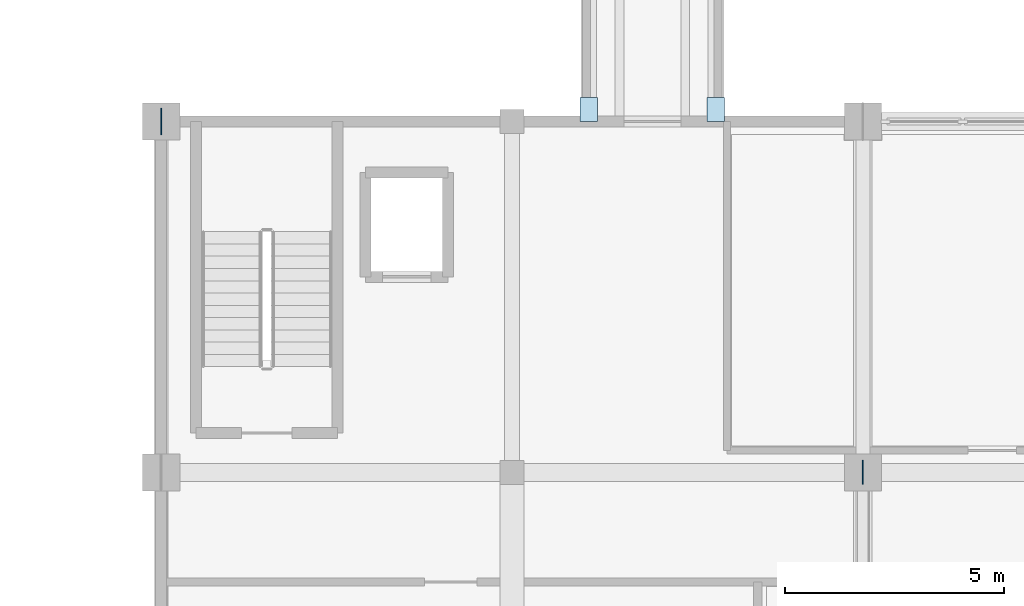
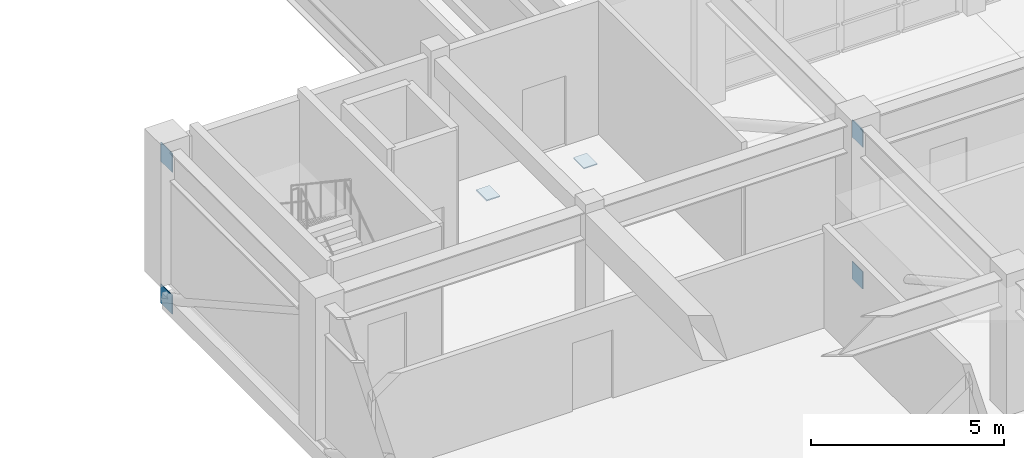
# One storey, part 47 of 79: 6 plates.
"""IFC4 building model written with IfcOpenShell, lengths in metres."""

from ifc_helpers import new_model, si_unit, direction, frame, origin, origin_2d, place, context, subcontext, project, spatial, rectangle, extrude, material, layer, layer_set, type_object, element, save


model = new_model("IFC4")

# Units and contexts
model_context = context("Model", 3, precision=1e-05, world=origin(), true_north=direction((0.0, 1.0)))
body_context = subcontext(model_context, "Body", "Model", "MODEL_VIEW")
ifc_project = project(units=[si_unit("LENGTHUNIT", "METRE"), si_unit("AREAUNIT", "SQUARE_METRE"), si_unit("VOLUMEUNIT", "CUBIC_METRE"), si_unit("PLANEANGLEUNIT", "RADIAN"), si_unit("MASSUNIT", "GRAM", prefix="KILO")], contexts=[model_context])

# Site, building, storey
site_placement = place(None, origin())
site = spatial("IfcSite", under=ifc_project, at=site_placement, CompositionType="ELEMENT")
building_placement = place(site_placement, origin())
building = spatial("IfcBuilding", under=site, at=building_placement, Name="Tlaxcora Railside Police Headquarters", CompositionType="ELEMENT")
storey_placement = place(building_placement, frame((0.0, 0.0, 9.0)))
storey = spatial("IfcBuildingStorey", under=building, at=storey_placement, Name="L02", CompositionType="ELEMENT", Elevation=9.0)

# Plates
ifc_material = material(Name="Steel ASTM A992 Grade 50", Category="steel")
ifc_layer_1 = layer(ifc_material, 0.02392578125, Name="Steel ASTM A992 Grade 50")
ifc_layer_set_1 = layer_set([ifc_layer_1], Name="Steel ASTM A992 Grade 50")
plate_type_1 = type_object("IfcPlateType", Name="Structural Gusset or Cap Plate GP-20", PredefinedType="USERDEFINED", material=ifc_layer_set_1)
for number, where, z_axis, x_axis, name in (
    (1, (62.0, 52.0, 3.4248046875), (0.0, 0.0, 1.0), (0.0, 1.0, 0.0), "Truss gusset plate KN-2-1"),
    (2, (62.0, 52.0, -1.044921875), (0.0, 0.0, 1.0), (0.0, 1.0, 0.0), "Truss bottom-chord gusset plate KNB-2-1"),
):
    element("IfcPlate", number, at=place(storey_placement, frame(where, z_axis=z_axis, x_axis=x_axis)), inside=storey, type_object=plate_type_1, Name=name, ObjectType="GUSSET PLATE", PredefinedType="USERDEFINED", context=body_context, shape_type="SweptSolid", body=[
        extrude(rectangle(XDim=0.550048828125, YDim=0.02392578125, at=origin_2d()), origin(), (0.0, 0.0, 1.0), 0.550048828125),
    ])
ifc_layer_2 = layer(ifc_material, 0.02490234375, Name="Steel ASTM A992 Grade 50")
ifc_layer_set_2 = layer_set([ifc_layer_2], Name="Steel ASTM A992 Grade 50")
plate_type_2 = type_object("IfcPlateType", Name="Structural Gusset or Cap Plate GP-22", PredefinedType="USERDEFINED", material=ifc_layer_set_2)
for number, where, z_axis, x_axis, name in (
    (3, (46.0, 60.0, 3.39990234375), (0.0, 0.0, 1.0), (0.0, 1.0, 0.0), "Truss gusset plate KN-1-0"),
    (4, (46.0, 60.0, -1.070068359375), (0.0, 0.0, 1.0), (0.0, 1.0, 0.0), "Truss bottom-chord gusset plate KNB-1-0"),
):
    element("IfcPlate", number, at=place(storey_placement, frame(where, z_axis=z_axis, x_axis=x_axis)), inside=storey, type_object=plate_type_2, Name=name, ObjectType="GUSSET PLATE", PredefinedType="USERDEFINED", context=body_context, shape_type="SweptSolid", body=[
        extrude(rectangle(XDim=0.60009765625, YDim=0.02490234375, at=origin_2d()), origin(), (0.0, 0.0, 1.0), 0.60009765625),
    ])
for number, where, z_axis, x_axis, name in (
    (5, (55.75, 60.27490234375, -1.03515625), (0.0, 0.0, 1.0), (1.0, 0.0, 0.0), "Bridge 550mm PTFE sliding bearing seat S X=55.75"),
    (6, (58.64990234375, 60.27490234375, -1.03515625), (0.0, 0.0, 1.0), (1.0, 0.0, 0.0), "Bridge 550mm PTFE sliding bearing seat S X=58.65"),
):
    element("IfcPlate", number, at=place(storey_placement, frame(where, z_axis=z_axis, x_axis=x_axis)), inside=storey, type_object=plate_type_2, Name=name, ObjectType="GUSSET PLATE", PredefinedType="USERDEFINED", context=body_context, shape_type="SweptSolid", body=[
        extrude(rectangle(XDim=0.39990234375, YDim=0.550048828125, at=origin_2d()), origin(), (0.0, 0.0, 1.0), 0.034912109375),
    ])

save(model, "model.ifc")
